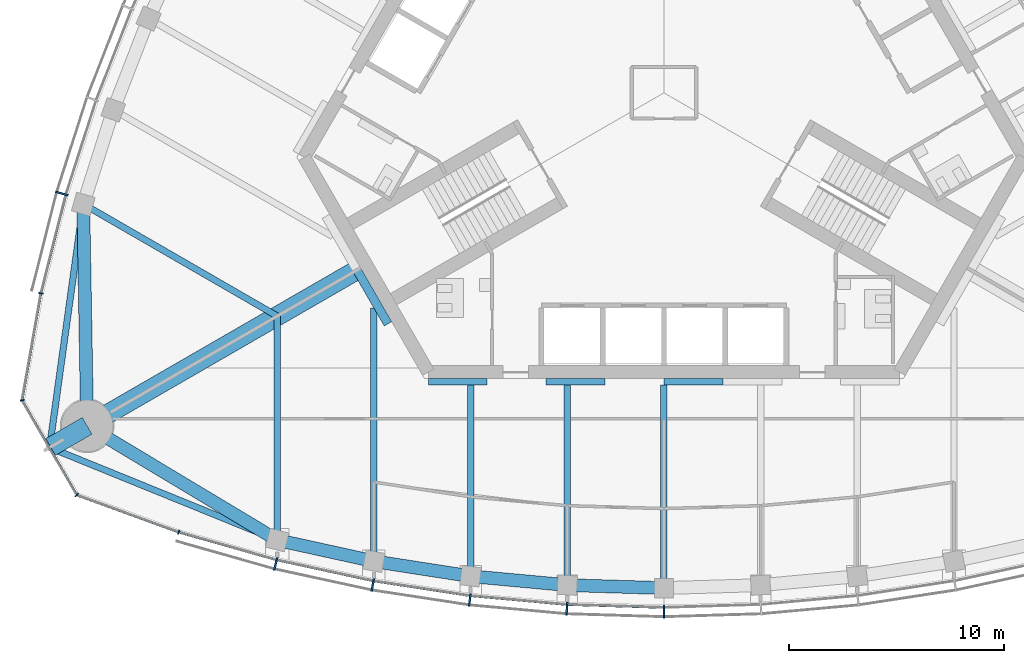
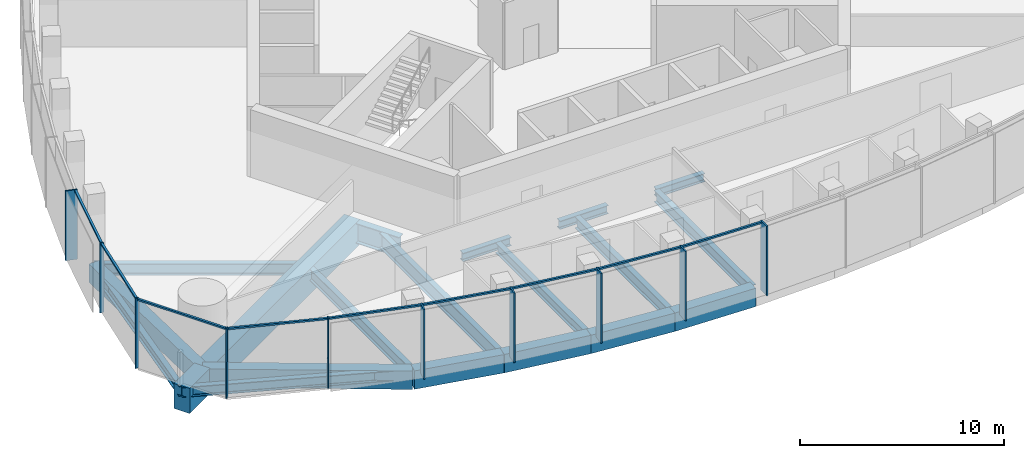
# One storey, part 2 of 16: 20 beams, 19 members, 3 elements without a shape of their own.
"""IFC4 building model written with IfcOpenShell, lengths in metres."""

from ifc_helpers import new_model, si_unit, direction, frame, origin, origin_2d, place, context, subcontext, project, spatial, rectangle, i_section, extrude, material, material_profile, profile_set, type_object, element, aggregate, save


model = new_model("IFC4")

# Units and contexts
model_context = context("Model", 3, precision=1e-05, world=origin(), true_north=direction((0.0, 1.0)))
body_context = subcontext(model_context, "Body", "Model", "MODEL_VIEW")
ifc_project = project(units=[si_unit("LENGTHUNIT", "METRE"), si_unit("AREAUNIT", "SQUARE_METRE"), si_unit("VOLUMEUNIT", "CUBIC_METRE"), si_unit("PLANEANGLEUNIT", "RADIAN"), si_unit("MASSUNIT", "GRAM", prefix="KILO")], contexts=[model_context])

# Site, building, storey
site_placement = place(None, origin())
site = spatial("IfcSite", under=ifc_project, at=site_placement, CompositionType="ELEMENT")
building_placement = place(site_placement, origin())
building = spatial("IfcBuilding", under=site, at=building_placement, Name="Trefoil Bronze Tower", CompositionType="ELEMENT")
storey_placement = place(building_placement, frame((0.0, 0.0, 318.300048828125)))
storey = spatial("IfcBuildingStorey", under=building, at=storey_placement, Name="L73", CompositionType="ELEMENT", Elevation=318.300048828125)

# Curtain wall, members
ifc_material_1 = material(Name="Tinted solar-control glass", Category="glass")
curtain_wall_type_1 = type_object("IfcCurtainWallType", Name="Bronze office curtain wall", PredefinedType="USERDEFINED", material=ifc_material_1)
curtain_wall_1_placement = place(storey_placement, origin())
curtain_wall_1 = element("IfcCurtainWall", 1, at=curtain_wall_1_placement, inside=storey, type_object=curtain_wall_type_1, Name="CW-A L73 F1", ObjectType="CURTAIN WALL", PredefinedType="USERDEFINED")
ifc_material_2 = material(Name="Bronze-finish aluminium", Category="aluminium")
ifc_material_profile_1 = material_profile(ifc_material_2, rectangle(XDim=0.60009765625, YDim=0.080078125, at=origin_2d()), Name="CW-A mullion")
ifc_profile_set_1 = profile_set([ifc_material_profile_1], Name="Bronze-finish aluminium")
member_type_1 = type_object("IfcMemberType", Name="Bronze office curtain wall mullion", PredefinedType="MULLION", material=ifc_profile_set_1)
member_1_placement = place(storey_placement, frame((-18.07275390625, -21.931884765625, 0.0), z_axis=(0.0, 0.0, 1.0), x_axis=(0.242394494031, 0.97017777199, 0.0)))
member_1 = element("IfcMember", 2, at=member_1_placement, type_object=member_type_1, Name="CW-A L73 F1 mullion 2", PredefinedType="MULLION", context=body_context, shape_type="SweptSolid", body=[
    extrude(rectangle(XDim=0.60009765625, YDim=0.080078125, at=origin_2d()), origin(), (0.0, 0.0, 1.0), 4.179931640625),
])
member_2_placement = place(storey_placement, frame((-13.554443359375, -22.911376953125, 0.0), z_axis=(0.0, 0.0, 1.0), x_axis=(0.181667218242, 0.983360067227, 0.0)))
member_2 = element("IfcMember", 3, at=member_2_placement, type_object=member_type_1, Name="CW-A L73 F1 mullion 3", PredefinedType="MULLION", context=body_context, shape_type="SweptSolid", body=[
    extrude(rectangle(XDim=0.60009765625, YDim=0.080078125, at=origin_2d()), origin(), (0.0, 0.0, 1.0), 4.179931640625),
])
member_3_placement = place(storey_placement, frame((-9.036376953125, -23.602783203125, 0.0), z_axis=(0.0, 0.0, 1.0), x_axis=(0.121109330868, 0.992639174109, 0.0)))
member_3 = element("IfcMember", 4, at=member_3_placement, type_object=member_type_1, Name="CW-A L73 F1 mullion 4", PredefinedType="MULLION", context=body_context, shape_type="SweptSolid", body=[
    extrude(rectangle(XDim=0.60009765625, YDim=0.080078125, at=origin_2d()), origin(), (0.0, 0.0, 1.0), 4.179931640625),
])
member_4_placement = place(storey_placement, frame((-4.51806640625, -24.014892578125, 0.0), z_axis=(0.0, 0.0, 1.0), x_axis=(0.060554040199, 0.998164920349, 0.0)))
member_4 = element("IfcMember", 5, at=member_4_placement, type_object=member_type_1, Name="CW-A L73 F1 mullion 5", PredefinedType="MULLION", context=body_context, shape_type="SweptSolid", body=[
    extrude(rectangle(XDim=0.60009765625, YDim=0.080078125, at=origin_2d()), origin(), (0.0, 0.0, 1.0), 4.179931640625),
])
member_5_placement = place(storey_placement, frame((0.0, -24.151611328125, 0.0), z_axis=(0.0, 0.0, 1.0), x_axis=(0.0, 1.0, 0.0)))
member_5 = element("IfcMember", 6, at=member_5_placement, type_object=member_type_1, Name="CW-A L73 F1 mullion 6", PredefinedType="MULLION", context=body_context, shape_type="SweptSolid", body=[
    extrude(rectangle(XDim=0.60009765625, YDim=0.080078125, at=origin_2d()), origin(), (0.0, 0.0, 1.0), 4.179931640625),
])

# Curtain wall, member
curtain_wall_2_placement = place(storey_placement, origin())
curtain_wall_2 = element("IfcCurtainWall", 7, at=curtain_wall_2_placement, inside=storey, type_object=curtain_wall_type_1, Name="CW-A L73 F3", ObjectType="CURTAIN WALL", PredefinedType="USERDEFINED")
member_6_placement = place(storey_placement, frame((-28.02978515625, -4.685546875, 0.0), z_axis=(0.0, 0.0, 1.0), x_axis=(0.961395843746, -0.275169096426, 0.0)))
member_6 = element("IfcMember", 8, at=member_6_placement, type_object=member_type_1, Name="CW-A L73 F3 mullion 10", PredefinedType="MULLION", context=body_context, shape_type="SweptSolid", body=[
    extrude(rectangle(XDim=0.60009765625, YDim=0.080078125, at=origin_2d()), origin(), (0.0, 0.0, 1.0), 4.179931640625),
])

# Member
ifc_material_3 = material(Name="Bronze-finish aluminium", Category="aluminium")
ifc_material_profile_2 = material_profile(ifc_material_3, rectangle(XDim=0.1201171875, YDim=0.10009765625, at=origin_2d()), Name="CW-A transom")
ifc_profile_set_2 = profile_set([ifc_material_profile_2], Name="Bronze-finish aluminium")
member_type_2 = type_object("IfcMemberType", Name="Bronze office curtain wall transom", PredefinedType="USERDEFINED", material=ifc_profile_set_2)
member_7_placement = place(storey_placement, frame((-22.537109375, -20.458740234375, 4.1298828125), z_axis=(0.962102611578, -0.272687668944, 0.0), x_axis=(0.272687668944, 0.962102611578, 0.0)))
member_7 = element("IfcMember", 9, at=member_7_placement, type_object=member_type_2, Name="CW-A L73 F1 transom 1", ObjectType="TRANSOM", PredefinedType="USERDEFINED", context=body_context, shape_type="SweptSolid", body=[
    extrude(rectangle(XDim=0.1201171875, YDim=0.10009765625, at=origin_2d()), origin(), (0.0, 0.0, 1.0), 4.6474609375),
])

member_8_placement = place(storey_placement, frame((-17.982177734375, -21.7470703125, 4.1298828125), z_axis=(0.977303780028, -0.211842681117, 0.0), x_axis=(0.211842681117, 0.977303780028, 0.0)))
member_8 = element("IfcMember", 10, at=member_8_placement, type_object=member_type_2, Name="CW-A L73 F1 transom 2", ObjectType="TRANSOM", PredefinedType="USERDEFINED", context=body_context, shape_type="SweptSolid", body=[
    extrude(rectangle(XDim=0.1201171875, YDim=0.10009765625, at=origin_2d()), origin(), (0.0, 0.0, 1.0), 4.524658203125),
])

member_9_placement = place(storey_placement, frame((-13.4755859375, -22.72119140625, 4.1298828125), z_axis=(0.988485016014, -0.151318779787, 0.0), x_axis=(0.151318779787, 0.988485016014, 0.0)))
member_9 = element("IfcMember", 11, at=member_9_placement, type_object=member_type_2, Name="CW-A L73 F1 transom 3", ObjectType="TRANSOM", PredefinedType="USERDEFINED", context=body_context, shape_type="SweptSolid", body=[
    extrude(rectangle(XDim=0.1201171875, YDim=0.10009765625, at=origin_2d()), origin(), (0.0, 0.0, 1.0), 4.472412109375),
])

member_10_placement = place(storey_placement, frame((-8.96923828125, -23.408203125, 4.1298828125), z_axis=(0.995868373079, -0.090808499059, 0.0), x_axis=(0.090808499059, 0.995868373079, 0.0)))
member_10 = element("IfcMember", 12, at=member_10_placement, type_object=member_type_2, Name="CW-A L73 F1 transom 4", ObjectType="TRANSOM", PredefinedType="USERDEFINED", context=body_context, shape_type="SweptSolid", body=[
    extrude(rectangle(XDim=0.1201171875, YDim=0.10009765625, at=origin_2d()), origin(), (0.0, 0.0, 1.0), 4.438720703125),
])

member_11_placement = place(storey_placement, frame((-4.463134765625, -23.81640625, 4.1298828125), z_axis=(0.99954057115, -0.030309183848, 0.0), x_axis=(0.030309183848, 0.99954057115, 0.0)))
member_11 = element("IfcMember", 13, at=member_11_placement, type_object=member_type_2, Name="CW-A L73 F1 transom 5", ObjectType="TRANSOM", PredefinedType="USERDEFINED", context=body_context, shape_type="SweptSolid", body=[
    extrude(rectangle(XDim=0.1201171875, YDim=0.10009765625, at=origin_2d()), origin(), (0.0, 0.0, 1.0), 4.422119140625),
])

aggregate(curtain_wall_1, [member_1, member_2, member_3, member_4, member_5, member_7, member_8, member_9, member_10, member_11])

member_12_placement = place(storey_placement, frame((-27.84814453125, -4.782470703125, 4.1298828125), z_axis=(-0.244908148095, -0.969546285123, 0.0), x_axis=(0.969546285123, -0.244908148095, 0.0)))
member_12 = element("IfcMember", 14, at=member_12_placement, type_object=member_type_2, Name="CW-A L73 F3 transom 10", ObjectType="TRANSOM", PredefinedType="USERDEFINED", context=body_context, shape_type="SweptSolid", body=[
    extrude(rectangle(XDim=0.1201171875, YDim=0.10009765625, at=origin_2d()), origin(), (0.0, 0.0, 1.0), 4.6474609375),
])

aggregate(curtain_wall_2, [member_6, member_12])

# Curtain wall, members
ifc_material_4 = material(Name="Tinted solar-control glass", Category="glass")
curtain_wall_type_2 = type_object("IfcCurtainWallType", Name="Bronze rounded corner curtain wall", PredefinedType="USERDEFINED", material=ifc_material_4)
curtain_wall_3_placement = place(storey_placement, origin())
curtain_wall_3 = element("IfcCurtainWall", 15, at=curtain_wall_3_placement, inside=storey, type_object=curtain_wall_type_2, Name="CW-B L73 K3", ObjectType="CURTAIN WALL", PredefinedType="USERDEFINED")
ifc_material_5 = material(Name="Bronze-finish aluminium", Category="aluminium")
ifc_material_profile_3 = material_profile(ifc_material_5, rectangle(XDim=0.199951171875, YDim=0.06005859375, at=origin_2d()), Name="CW-B mullion")
ifc_profile_set_3 = profile_set([ifc_material_profile_3], Name="Bronze-finish aluminium")
member_type_3 = type_object("IfcMemberType", Name="Bronze rounded corner curtain wall mullion", PredefinedType="MULLION", material=ifc_profile_set_3)
member_13_placement = place(storey_placement, frame((-28.99755859375, -9.334228515625, 0.0), z_axis=(0.0, 0.0, 1.0), x_axis=(0.984807753012, -0.173648177667, 0.0)))
member_13 = element("IfcMember", 16, at=member_13_placement, type_object=member_type_3, Name="CW-B L73 K3 mullion 1", PredefinedType="MULLION", context=body_context, shape_type="SweptSolid", body=[
    extrude(rectangle(XDim=0.199951171875, YDim=0.06005859375, at=origin_2d()), origin(), (0.0, 0.0, 1.0), 4.179931640625),
])
member_14_placement = place(storey_placement, frame((-29.86865234375, -14.30908203125, 0.0), z_axis=(0.0, 0.0, 1.0), x_axis=(0.984807753012, 0.173648177667, 0.0)))
member_14 = element("IfcMember", 17, at=member_14_placement, type_object=member_type_3, Name="CW-B L73 K3 mullion 2", PredefinedType="MULLION", context=body_context, shape_type="SweptSolid", body=[
    extrude(rectangle(XDim=0.199951171875, YDim=0.06005859375, at=origin_2d()), origin(), (0.0, 0.0, 1.0), 4.179931640625),
])
member_15_placement = place(storey_placement, frame((-27.326416015625, -18.712646484375, 0.0), z_axis=(0.0, 0.0, 1.0), x_axis=(0.642787609687, 0.766044443119, 0.0)))
member_15 = element("IfcMember", 18, at=member_15_placement, type_object=member_type_3, Name="CW-B L73 K3 mullion 3", PredefinedType="MULLION", context=body_context, shape_type="SweptSolid", body=[
    extrude(rectangle(XDim=0.199951171875, YDim=0.06005859375, at=origin_2d()), origin(), (0.0, 0.0, 1.0), 4.179931640625),
])
member_16_placement = place(storey_placement, frame((-22.58251953125, -20.445556640625, 0.0), z_axis=(0.0, 0.0, 1.0), x_axis=(0.342020143326, 0.939692620786, 0.0)))
member_16 = element("IfcMember", 19, at=member_16_placement, type_object=member_type_3, Name="CW-B L73 K3 mullion 4", PredefinedType="MULLION", context=body_context, shape_type="SweptSolid", body=[
    extrude(rectangle(XDim=0.199951171875, YDim=0.06005859375, at=origin_2d()), origin(), (0.0, 0.0, 1.0), 4.179931640625),
])
ifc_material_6 = material(Name="Bronze-finish aluminium", Category="aluminium")
ifc_material_profile_4 = material_profile(ifc_material_6, rectangle(XDim=0.1201171875, YDim=0.10009765625, at=origin_2d()), Name="CW-B transom")
ifc_profile_set_4 = profile_set([ifc_material_profile_4], Name="Bronze-finish aluminium")
member_type_4 = type_object("IfcMemberType", Name="Bronze rounded corner curtain wall transom", PredefinedType="USERDEFINED", material=ifc_profile_set_4)
member_17_placement = place(storey_placement, frame((-29.0029296875, -9.36376953125, 4.1298828125), z_axis=(-0.173633591509, -0.984810324834, 0.0), x_axis=(0.984810324834, -0.173633591509, 0.0)))
member_17 = element("IfcMember", 20, at=member_17_placement, type_object=member_type_4, Name="CW-B L73 K3 transom 1", ObjectType="TRANSOM", PredefinedType="USERDEFINED", context=body_context, shape_type="SweptSolid", body=[
    extrude(rectangle(XDim=0.1201171875, YDim=0.10009765625, at=origin_2d()), origin(), (0.0, 0.0, 1.0), 4.956298828125),
])
member_18_placement = place(storey_placement, frame((-29.841796875, -14.36767578125, 4.1298828125), z_axis=(0.499985403706, -0.866033830794, 0.0), x_axis=(0.866033830794, 0.499985403706, 0.0)))
member_18 = element("IfcMember", 21, at=member_18_placement, type_object=member_type_4, Name="CW-B L73 K3 transom 2", ObjectType="TRANSOM", PredefinedType="USERDEFINED", context=body_context, shape_type="SweptSolid", body=[
    extrude(rectangle(XDim=0.1201171875, YDim=0.10009765625, at=origin_2d()), origin(), (0.0, 0.0, 1.0), 4.956298828125),
])
member_19_placement = place(storey_placement, frame((-27.26806640625, -18.740234375, 4.1298828125), z_axis=(0.93969990549, -0.342000128103, 0.0), x_axis=(0.342000128103, 0.93969990549, 0.0)))
member_19 = element("IfcMember", 22, at=member_19_placement, type_object=member_type_4, Name="CW-B L73 K3 transom 3", ObjectType="TRANSOM", PredefinedType="USERDEFINED", context=body_context, shape_type="SweptSolid", body=[
    extrude(rectangle(XDim=0.1201171875, YDim=0.10009765625, at=origin_2d()), origin(), (0.0, 0.0, 1.0), 4.956298828125),
])
aggregate(curtain_wall_3, [member_13, member_14, member_15, member_16, member_17, member_18, member_19])

# Beams
ifc_material_7 = material(Name="Steel C355", Category="steel")
ifc_material_profile_5 = material_profile(ifc_material_7, i_section(OverallWidth=0.300048828125, OverallDepth=0.5, WebThickness=0.014404296875, FlangeThickness=0.028076171875, FilletRadius=0.027099609375, at=origin_2d()), Name="HEB 500")
ifc_profile_set_5 = profile_set([ifc_material_profile_5], Name="Steel C355")
beam_type_1 = type_object("IfcBeamType", Name="Core seat beam HEB 500", PredefinedType="BEAM", material=ifc_profile_set_5)
for number, where, z_axis, x_axis, name in (
    (23, (-10.9697265625, -13.449951171875, -0.449951171875), (1.0, 0.0, 0.0), (0.0, 1.0, 0.0), "Core seat beam F1/-2 L73"),
    (24, (-5.48486328125, -13.449951171875, -0.449951171875), (1.0, 0.0, 0.0), (0.0, 1.0, 0.0), "Core seat beam F1/-1 L73"),
    (25, (0.0, -13.449951171875, -0.449951171875), (1.0, 0.0, 0.0), (0.0, 1.0, 0.0), "Core seat beam F1/+0 L73"),
):
    element("IfcBeam", number, at=place(storey_placement, frame(where, z_axis=z_axis, x_axis=x_axis)), inside=storey, type_object=beam_type_1, Name=name, PredefinedType="BEAM", context=body_context, shape_type="SweptSolid", body=[
        extrude(i_section(OverallWidth=0.300048828125, OverallDepth=0.5, WebThickness=0.014404296875, FlangeThickness=0.028076171875, FilletRadius=0.027099609375, at=origin_2d()), origin(), (0.0, 0.0, 1.0), 2.742431640625),
    ])
ifc_material_8 = material(Name="Steel C355", Category="steel")
ifc_material_profile_6 = material_profile(ifc_material_8, i_section(OverallWidth=0.39990234375, OverallDepth=1.199951171875, WebThickness=0.02001953125, FlangeThickness=0.0400390625, FilletRadius=0.010009765625, at=origin_2d()), Name="WPG 1200")
ifc_profile_set_6 = profile_set([ifc_material_profile_6], Name="Steel C355")
beam_type_2 = type_object("IfcBeamType", Name="Core seat beam WPG 1200", PredefinedType="BEAM", material=ifc_profile_set_6)
beam_1_placement = place(storey_placement, frame((-14.289306640625, -8.25, -0.800048828125), z_axis=(0.499995765644, -0.866027848477, 0.0), x_axis=(0.866027848477, 0.499995765644, 0.0)))
element("IfcBeam", 26, at=beam_1_placement, inside=storey, type_object=beam_type_2, Name="Core seat beam F1/-3 L73", PredefinedType="BEAM", context=body_context, shape_type="SweptSolid", body=[
    extrude(i_section(OverallWidth=0.39990234375, OverallDepth=1.199951171875, WebThickness=0.02001953125, FlangeThickness=0.0400390625, FilletRadius=0.010009765625, at=origin_2d()), origin(), (0.0, 0.0, 1.0), 2.88671875),
])
ifc_material_9 = material(Name="Concrete B80", Category="concrete")
ifc_material_profile_7 = material_profile(ifc_material_9, rectangle(XDim=0.89990234375, YDim=1.5, at=origin_2d()), Name="RC 900x1500")
ifc_profile_set_7 = profile_set([ifc_material_profile_7], Name="Concrete B80")
beam_type_3 = type_object("IfcBeamType", Name="Corner cantilever RC 900x1500", PredefinedType="BEAM", material=ifc_profile_set_7)
beam_2_placement = place(storey_placement, frame((-26.8466796875, -15.5, -0.949951171875), z_axis=(-0.866010470582, -0.500025864173, 0.0), x_axis=(0.500025864173, -0.866010470582, 0.0)))
element("IfcBeam", 27, at=beam_2_placement, inside=storey, type_object=beam_type_3, Name="Corner cantilever K3 L73", PredefinedType="BEAM", context=body_context, shape_type="SweptSolid", body=[
    extrude(rectangle(XDim=0.89990234375, YDim=1.5, at=origin_2d()), origin(), (0.0, 0.0, 1.0), 2.02001953125),
])
ifc_material_10 = material(Name="Steel C355", Category="steel")
ifc_material_profile_8 = material_profile(ifc_material_10, i_section(OverallWidth=0.300048828125, OverallDepth=0.60009765625, WebThickness=0.015380859375, FlangeThickness=0.030029296875, FilletRadius=0.027099609375, at=origin_2d()), Name="HEB 600")
ifc_profile_set_8 = profile_set([ifc_material_profile_8], Name="Steel C355")
beam_type_4 = type_object("IfcBeamType", Name="Corner edge beam HEB 600", PredefinedType="BEAM", material=ifc_profile_set_8)
beam_3_placement = place(storey_placement, frame((-18.0, -20.816162109375, -0.5), z_axis=(-0.926419351914, 0.376493272714, 0.0), x_axis=(-0.376493272714, -0.926419351914, 0.0)))
element("IfcBeam", 28, at=beam_3_placement, inside=storey, type_object=beam_type_4, Name="Corner edge beam F1B L73", PredefinedType="BEAM", context=body_context, shape_type="SweptSolid", body=[
    extrude(i_section(OverallWidth=0.300048828125, OverallDepth=0.60009765625, WebThickness=0.015380859375, FlangeThickness=0.030029296875, FilletRadius=0.027099609375, at=origin_2d()), origin(), (0.0, 0.0, 1.0), 11.4375),
])
beam_4_placement = place(storey_placement, frame((-27.02734375, -5.180419921875, -0.5), z_axis=(-0.137143714313, -0.990551160529, 0.0), x_axis=(0.990551160529, -0.137143714313, 0.0)))
element("IfcBeam", 29, at=beam_4_placement, inside=storey, type_object=beam_type_4, Name="Corner edge beam F3A L73", PredefinedType="BEAM", context=body_context, shape_type="SweptSolid", body=[
    extrude(i_section(OverallWidth=0.300048828125, OverallDepth=0.60009765625, WebThickness=0.015380859375, FlangeThickness=0.030029296875, FilletRadius=0.027099609375, at=origin_2d()), origin(), (0.0, 0.0, 1.0), 11.437744140625),
])
ifc_material_11 = material(Name="Concrete B80", Category="concrete")
ifc_material_profile_9 = material_profile(ifc_material_11, rectangle(XDim=0.89990234375, YDim=1.5, at=origin_2d()), Name="RC 900x1500")
ifc_profile_set_9 = profile_set([ifc_material_profile_9], Name="Concrete B80")
beam_type_5 = type_object("IfcBeamType", Name="Corner girder RC 900x1500", PredefinedType="BEAM", material=ifc_profile_set_9)
beam_5_placement = place(storey_placement, frame((-14.1162109375, -8.14990234375, -0.949951171875), z_axis=(-0.86602074674, -0.500008066151, 0.0), x_axis=(0.500008066151, -0.86602074674, 0.0)))
element("IfcBeam", 30, at=beam_5_placement, inside=storey, type_object=beam_type_5, Name="Corner girder K3 L73", PredefinedType="BEAM", context=body_context, shape_type="SweptSolid", body=[
    extrude(rectangle(XDim=0.89990234375, YDim=1.5, at=origin_2d()), origin(), (0.0, 0.0, 1.0), 14.699951171875),
])
ifc_material_12 = material(Name="Concrete B80", Category="concrete")
ifc_material_profile_10 = material_profile(ifc_material_12, rectangle(XDim=0.60009765625, YDim=1.10009765625, at=origin_2d()), Name="RC 600x1100")
ifc_profile_set_10 = profile_set([ifc_material_profile_10], Name="Concrete B80")
beam_type_6 = type_object("IfcBeamType", Name="End spandrel beam RC 600x1100", PredefinedType="SPANDREL", material=ifc_profile_set_10)
for number, where, z_axis, x_axis, name in (
    (31, (-26.8466796875, -15.5, -0.75), (0.857144173035, -0.515076563855, 0.0), (0.515076563855, 0.857144173035, 0.0), "Spandrel F1.1 L73"),
    (32, (-27.02734375, -5.180419921875, -0.75), (0.017504237714, -0.999846789094, 0.0), (0.999846789094, 0.017504237714, 0.0), "Spandrel F3.10 L73"),
):
    element("IfcBeam", number, at=place(storey_placement, frame(where, z_axis=z_axis, x_axis=x_axis)), inside=storey, type_object=beam_type_6, Name=name, PredefinedType="SPANDREL", context=body_context, shape_type="SweptSolid", body=[
        extrude(rectangle(XDim=0.60009765625, YDim=1.10009765625, at=origin_2d()), origin(), (0.0, 0.0, 1.0), 10.321044921875),
    ])
ifc_material_13 = material(Name="Steel C355", Category="steel")
ifc_material_profile_11 = material_profile(ifc_material_13, i_section(OverallWidth=0.300048828125, OverallDepth=0.60009765625, WebThickness=0.015380859375, FlangeThickness=0.030029296875, FilletRadius=0.027099609375, at=origin_2d()), Name="HEB 600")
ifc_profile_set_11 = profile_set([ifc_material_profile_11], Name="Steel C355")
beam_type_7 = type_object("IfcBeamType", Name="Floor beam HEB 600", PredefinedType="BEAM", material=ifc_profile_set_11)
beam_6_placement = place(storey_placement, frame((-9.0, -22.499267578125, -0.5), z_axis=(0.0, 1.0, 0.0), x_axis=(-1.0, 0.0, 0.0)))
element("IfcBeam", 33, at=beam_6_placement, inside=storey, type_object=beam_type_7, Name="Floor beam F1/-2 L73", PredefinedType="BEAM", context=body_context, shape_type="SweptSolid", body=[
    extrude(i_section(OverallWidth=0.300048828125, OverallDepth=0.60009765625, WebThickness=0.015380859375, FlangeThickness=0.030029296875, FilletRadius=0.027099609375, at=origin_2d()), origin(), (0.0, 0.0, 1.0), 8.899169921875),
])
ifc_material_14 = material(Name="Steel C355", Category="steel")
ifc_material_profile_12 = material_profile(ifc_material_14, i_section(OverallWidth=0.300048828125, OverallDepth=0.699951171875, WebThickness=0.01708984375, FlangeThickness=0.031982421875, FilletRadius=0.027099609375, at=origin_2d()), Name="HEB 700")
ifc_profile_set_12 = profile_set([ifc_material_profile_12], Name="Steel C355")
beam_type_8 = type_object("IfcBeamType", Name="Floor beam HEB 700", PredefinedType="BEAM", material=ifc_profile_set_12)
beam_7_placement = place(storey_placement, frame((-18.0, -20.816162109375, -0.550048828125), z_axis=(0.0, 1.0, 0.0), x_axis=(-1.0, 0.0, 0.0)))
element("IfcBeam", 34, at=beam_7_placement, inside=storey, type_object=beam_type_8, Name="Floor beam F1/-4 L73", PredefinedType="BEAM", context=body_context, shape_type="SweptSolid", body=[
    extrude(i_section(OverallWidth=0.300048828125, OverallDepth=0.699951171875, WebThickness=0.01708984375, FlangeThickness=0.031982421875, FilletRadius=0.027099609375, at=origin_2d()), origin(), (0.0, 0.0, 1.0), 10.423828125),
])
beam_8_placement = place(storey_placement, frame((-4.5, -22.913818359375, -0.550048828125), z_axis=(0.0, 1.0, 0.0), x_axis=(-1.0, 0.0, 0.0)))
element("IfcBeam", 35, at=beam_8_placement, inside=storey, type_object=beam_type_8, Name="Floor beam F1/-1 L73", PredefinedType="BEAM", context=body_context, shape_type="SweptSolid", body=[
    extrude(i_section(OverallWidth=0.300048828125, OverallDepth=0.699951171875, WebThickness=0.01708984375, FlangeThickness=0.031982421875, FilletRadius=0.027099609375, at=origin_2d()), origin(), (0.0, 0.0, 1.0), 9.313720703125),
])
beam_9_placement = place(storey_placement, frame((0.0, -23.051513671875, -0.550048828125), z_axis=(0.0, 1.0, 0.0), x_axis=(-1.0, 0.0, 0.0)))
element("IfcBeam", 36, at=beam_9_placement, inside=storey, type_object=beam_type_8, Name="Floor beam F1/+0 L73", PredefinedType="BEAM", context=body_context, shape_type="SweptSolid", body=[
    extrude(i_section(OverallWidth=0.300048828125, OverallDepth=0.699951171875, WebThickness=0.01708984375, FlangeThickness=0.031982421875, FilletRadius=0.027099609375, at=origin_2d()), origin(), (0.0, 0.0, 1.0), 9.451416015625),
])
beam_10_placement = place(storey_placement, frame((-27.02734375, -5.180419921875, -0.550048828125), z_axis=(0.866026453994, -0.499998180979, 0.0), x_axis=(0.499998180979, 0.866026453994, 0.0)))
element("IfcBeam", 37, at=beam_10_placement, inside=storey, type_object=beam_type_8, Name="Floor beam F3/+4 L73", PredefinedType="BEAM", context=body_context, shape_type="SweptSolid", body=[
    extrude(i_section(OverallWidth=0.300048828125, OverallDepth=0.699951171875, WebThickness=0.01708984375, FlangeThickness=0.031982421875, FilletRadius=0.027099609375, at=origin_2d()), origin(), (0.0, 0.0, 1.0), 10.423828125),
])
ifc_material_15 = material(Name="Steel C355", Category="steel")
ifc_material_profile_13 = material_profile(ifc_material_15, i_section(OverallWidth=0.300048828125, OverallDepth=0.89990234375, WebThickness=0.0185546875, FlangeThickness=0.034912109375, FilletRadius=0.030029296875, at=origin_2d()), Name="HEB 900")
ifc_profile_set_13 = profile_set([ifc_material_profile_13], Name="Steel C355")
beam_type_9 = type_object("IfcBeamType", Name="Floor beam HEB 900", PredefinedType="BEAM", material=ifc_profile_set_13)
beam_11_placement = place(storey_placement, frame((-13.5, -21.802734375, -0.650146484375), z_axis=(0.0, 1.0, 0.0), x_axis=(-1.0, 0.0, 0.0)))
element("IfcBeam", 38, at=beam_11_placement, inside=storey, type_object=beam_type_9, Name="Floor beam F1/-3 L73", PredefinedType="BEAM", context=body_context, shape_type="SweptSolid", body=[
    extrude(i_section(OverallWidth=0.300048828125, OverallDepth=0.89990234375, WebThickness=0.0185546875, FlangeThickness=0.034912109375, FilletRadius=0.030029296875, at=origin_2d()), origin(), (0.0, 0.0, 1.0), 11.785400390625),
])
ifc_material_16 = material(Name="Concrete B80", Category="concrete")
ifc_material_profile_14 = material_profile(ifc_material_16, rectangle(XDim=0.60009765625, YDim=1.10009765625, at=origin_2d()), Name="RC 600x1100")
ifc_profile_set_14 = profile_set([ifc_material_profile_14], Name="Concrete B80")
beam_type_10 = type_object("IfcBeamType", Name="Spandrel beam RC 600x1100", PredefinedType="SPANDREL", material=ifc_profile_set_14)
beam_12_placement = place(storey_placement, frame((-18.0, -20.816162109375, -0.75), z_axis=(0.976800342355, -0.214152028182, 0.0), x_axis=(0.214152028182, 0.976800342355, 0.0)))
element("IfcBeam", 39, at=beam_12_placement, inside=storey, type_object=beam_type_10, Name="Spandrel F1.2 L73", PredefinedType="SPANDREL", context=body_context, shape_type="SweptSolid", body=[
    extrude(rectangle(XDim=0.60009765625, YDim=1.10009765625, at=origin_2d()), origin(), (0.0, 0.0, 1.0), 4.60693359375),
])
beam_13_placement = place(storey_placement, frame((-13.5, -21.802734375, -0.75), z_axis=(0.988231820946, -0.152963616816, 0.0), x_axis=(0.152963616816, 0.988231820946, 0.0)))
element("IfcBeam", 40, at=beam_13_placement, inside=storey, type_object=beam_type_10, Name="Spandrel F1.3 L73", PredefinedType="SPANDREL", context=body_context, shape_type="SweptSolid", body=[
    extrude(rectangle(XDim=0.60009765625, YDim=1.10009765625, at=origin_2d()), origin(), (0.0, 0.0, 1.0), 4.553466796875),
])
beam_14_placement = place(storey_placement, frame((-9.0, -22.499267578125, -0.75), z_axis=(0.995783550481, -0.091733966402, 0.0), x_axis=(0.091733966402, 0.995783550481, 0.0)))
element("IfcBeam", 41, at=beam_14_placement, inside=storey, type_object=beam_type_10, Name="Spandrel F1.4 L73", PredefinedType="SPANDREL", context=body_context, shape_type="SweptSolid", body=[
    extrude(rectangle(XDim=0.60009765625, YDim=1.10009765625, at=origin_2d()), origin(), (0.0, 0.0, 1.0), 4.51904296875),
])
beam_15_placement = place(storey_placement, frame((-4.5, -22.913818359375, -0.75), z_axis=(0.999532180362, -0.03058464354, 0.0), x_axis=(0.03058464354, 0.999532180362, 0.0)))
element("IfcBeam", 42, at=beam_15_placement, inside=storey, type_object=beam_type_10, Name="Spandrel F1.5 L73", PredefinedType="SPANDREL", context=body_context, shape_type="SweptSolid", body=[
    extrude(rectangle(XDim=0.60009765625, YDim=1.10009765625, at=origin_2d()), origin(), (0.0, 0.0, 1.0), 4.502197265625),
])

save(model, "model.ifc")
